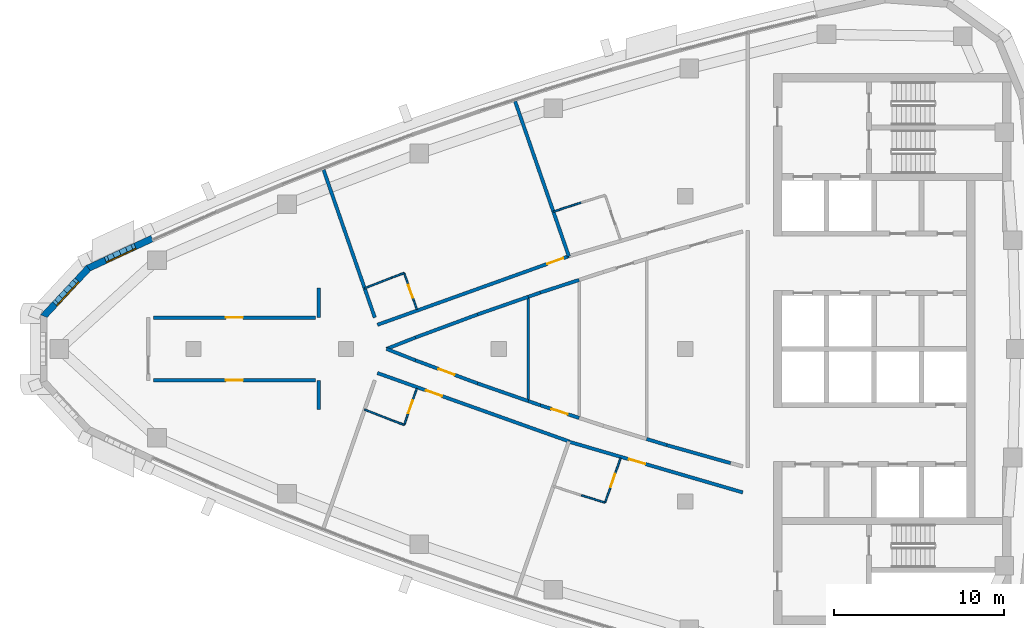
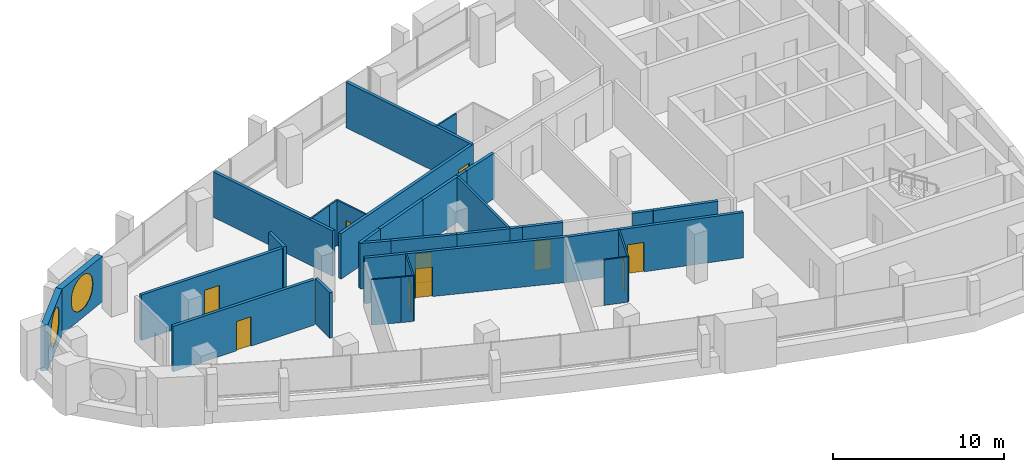
# One storey, part 7 of 13: 33 walls, 10 doors, 2 windows, 12 openings.
"""IFC4 building model written with IfcOpenShell, lengths in metres."""

from ifc_helpers import new_model, si_unit, direction, frame, frame_2d, origin, place, context, subcontext, project, spatial, polyline, rectangle, outline, extrude, material, layer, layer_set, type_object, element, fill, save


model = new_model("IFC4")

# Units and contexts
model_context = context("Model", 3, precision=1e-05, world=origin(), true_north=direction((0.0, 1.0)))
body_context = subcontext(model_context, "Body", "Model", "MODEL_VIEW")
ifc_project = project(units=[si_unit("LENGTHUNIT", "METRE"), si_unit("AREAUNIT", "SQUARE_METRE"), si_unit("VOLUMEUNIT", "CUBIC_METRE"), si_unit("PLANEANGLEUNIT", "RADIAN"), si_unit("MASSUNIT", "GRAM", prefix="KILO")], contexts=[model_context])

# Site, building, storey
site_placement = place(None, origin())
site = spatial("IfcSite", under=ifc_project, at=site_placement, CompositionType="ELEMENT")
building_placement = place(site_placement, origin())
building = spatial("IfcBuilding", under=site, at=building_placement, Name="Ostrand Prow Hotel Tower", CompositionType="ELEMENT")
storey_placement = place(building_placement, frame((0.0, 0.0, 282.10009765625)))
storey = spatial("IfcBuildingStorey", under=building, at=storey_placement, Name="L71", CompositionType="ELEMENT", Elevation=282.10009765625)

# Walls
ifc_material_1 = material(Name="Plasterboard partition")
ifc_layer_1 = layer(ifc_material_1, 0.10009765625)
ifc_layer_set_1 = layer_set([ifc_layer_1], Name="Plasterboard partition")
wall_type_1 = type_object("IfcWallType", Name="Partition 100 bathroom wall", PredefinedType="PARTITIONING", material=ifc_layer_set_1)
wall_1_placement = place(storey_placement, frame((26.095703125, 3.576171875, 0.0), z_axis=(0.0, 0.0, 1.0), x_axis=(0.930254925629, 0.366913850028, 0.0)))
element("IfcWall", 1, at=wall_1_placement, inside=storey, type_object=wall_type_1, Name="BATHROOM WALL", PredefinedType="PARTITIONING", context=body_context, shape_type="SweptSolid", body=[
    extrude(rectangle(XDim=1.760009765625, YDim=0.10009765625, at=frame_2d((0.8798828125, 0.0))), origin(), (0.0, 0.0, 1.0), 3.25),
])
wall_2_placement = place(storey_placement, frame((27.73291015625, 4.221923828125, 0.0), z_axis=(0.0, 0.0, 1.0), x_axis=(0.937514267289, 0.347946833049, 0.0)))
element("IfcWall", 2, at=wall_2_placement, inside=storey, type_object=wall_type_1, Name="BATHROOM WALL", PredefinedType="PARTITIONING", context=body_context, shape_type="SweptSolid", body=[
    extrude(rectangle(XDim=0.74169921875, YDim=0.10009765625, at=frame_2d((0.370849609375, 0.0))), origin(), (0.0, 0.0, 1.0), 3.25),
])

# Wall, opening, door
wall_3_placement = place(storey_placement, frame((28.42822265625, 4.47998046875, 0.0), z_axis=(0.0, 0.0, 1.0), x_axis=(0.327718024288, -0.944775579996, 0.0)))
wall_3 = element("IfcWall", 3, at=wall_3_placement, inside=storey, type_object=wall_type_1, Name="BATHROOM WALL", PredefinedType="PARTITIONING", context=body_context, shape_type="SweptSolid", body=[
    extrude(rectangle(XDim=2.27734375, YDim=0.10009765625, at=frame_2d((1.138671875, 0.0))), origin(), (0.0, 0.0, 1.0), 3.25),
])
opening_1_placement = place(wall_3_placement, frame((0.75, 0.0, 0.0)))
opening_1 = element("IfcOpeningElement", 4, at=opening_1_placement, cuts=wall_3, Name="Opening D2", PredefinedType="OPENING", context=body_context, shape_type="SweptSolid", body=[
    extrude(rectangle(XDim=0.800048828125, YDim=2.10009765625, at=frame_2d((0.39990234375, 1.050048828125))), frame((0.0, 0.06005859375, 0.0), z_axis=(0.0, -1.0, 0.0), x_axis=(1.0, 0.0, 0.0)), (0.0, 0.0, 1.0), 0.1201171875),
])
ifc_material_2 = material(Name="Timber door leaf", Category="wood")
door_type_1 = type_object("IfcDoorType", Name="Bathroom door 800", OperationType="SINGLE_SWING_LEFT", PredefinedType="DOOR", material=ifc_material_2)
door_1_placement = place(opening_1_placement, origin())
door_1 = element("IfcDoor", 5, at=door_1_placement, inside=storey, type_object=door_type_1, Name="DOOR", OperationType="SINGLE_SWING_LEFT", OverallHeight=2.10009765625, OverallWidth=0.800048828125, PredefinedType="DOOR", context=body_context, shape_type="SweptSolid", body=[
    extrude(rectangle(XDim=0.800048828125, YDim=2.10009765625, at=frame_2d((0.39990234375, 1.050048828125))), frame((0.0, 0.02490234375, 0.0), z_axis=(0.0, -1.0, 0.0), x_axis=(1.0, 0.0, 0.0)), (0.0, 0.0, 1.0), 0.050048828125),
])
fill(opening_1, door_1)

# Wall
wall_4_placement = place(storey_placement, frame((37.228515625, 8.09814453125, 0.0), z_axis=(0.0, 0.0, 1.0), x_axis=(0.950684866901, 0.31015848182, 0.0)))
element("IfcWall", 6, at=wall_4_placement, inside=storey, type_object=wall_type_1, Name="BATHROOM WALL", PredefinedType="PARTITIONING", context=body_context, shape_type="SweptSolid", body=[
    extrude(rectangle(XDim=1.739501953125, YDim=0.10009765625, at=frame_2d((0.86962890625, 0.0))), origin(), (0.0, 0.0, 1.0), 3.25),
])

# Wall, opening, door
wall_5_placement = place(storey_placement, frame((29.174560546875, -2.328369140625, 0.0), z_axis=(0.0, 0.0, 1.0), x_axis=(-0.327718024288, -0.944775579996, 0.0)))
wall_5 = element("IfcWall", 7, at=wall_5_placement, inside=storey, type_object=wall_type_1, Name="BATHROOM WALL", PredefinedType="PARTITIONING", context=body_context, shape_type="SweptSolid", body=[
    extrude(rectangle(XDim=2.27734375, YDim=0.10009765625, at=frame_2d((1.138671875, 0.0))), origin(), (0.0, 0.0, 1.0), 3.25),
])
opening_2_placement = place(wall_5_placement, frame((0.75, 0.0, 0.0)))
opening_2 = element("IfcOpeningElement", 8, at=opening_2_placement, cuts=wall_5, Name="Opening D2", PredefinedType="OPENING", context=body_context, shape_type="SweptSolid", body=[
    extrude(rectangle(XDim=0.800048828125, YDim=2.10009765625, at=frame_2d((0.39990234375, 1.050048828125))), frame((0.0, 0.06005859375, 0.0), z_axis=(0.0, -1.0, 0.0), x_axis=(1.0, 0.0, 0.0)), (0.0, 0.0, 1.0), 0.1201171875),
])
door_2_placement = place(opening_2_placement, origin())
door_2 = element("IfcDoor", 9, at=door_2_placement, inside=storey, type_object=door_type_1, Name="DOOR", OperationType="SINGLE_SWING_LEFT", OverallHeight=2.10009765625, OverallWidth=0.800048828125, PredefinedType="DOOR", context=body_context, shape_type="SweptSolid", body=[
    extrude(rectangle(XDim=0.800048828125, YDim=2.10009765625, at=frame_2d((0.39990234375, 1.050048828125))), frame((0.0, 0.02490234375, 0.0), z_axis=(0.0, -1.0, 0.0), x_axis=(1.0, 0.0, 0.0)), (0.0, 0.0, 1.0), 0.050048828125),
])
fill(opening_2, door_2)

# Walls
wall_6_placement = place(storey_placement, frame((28.42822265625, -4.47998046875, 0.0), z_axis=(0.0, 0.0, 1.0), x_axis=(-0.937514267289, 0.347946833049, 0.0)))
element("IfcWall", 10, at=wall_6_placement, inside=storey, type_object=wall_type_1, Name="BATHROOM WALL", PredefinedType="PARTITIONING", context=body_context, shape_type="SweptSolid", body=[
    extrude(rectangle(XDim=0.74169921875, YDim=0.10009765625, at=frame_2d((0.370849609375, 0.0))), origin(), (0.0, 0.0, 1.0), 3.25),
])
wall_7_placement = place(storey_placement, frame((27.73291015625, -4.221923828125, 0.0), z_axis=(0.0, 0.0, 1.0), x_axis=(-0.930254925629, 0.366913850028, 0.0)))
element("IfcWall", 11, at=wall_7_placement, inside=storey, type_object=wall_type_1, Name="BATHROOM WALL", PredefinedType="PARTITIONING", context=body_context, shape_type="SweptSolid", body=[
    extrude(rectangle(XDim=1.760009765625, YDim=0.10009765625, at=frame_2d((0.8798828125, 0.0))), origin(), (0.0, 0.0, 1.0), 3.25),
])

# Wall, opening, door
wall_8_placement = place(storey_placement, frame((41.191650390625, -6.437255859375, 0.0), z_axis=(0.0, 0.0, 1.0), x_axis=(-0.327695885805, -0.944783258968, 0.0)))
wall_8 = element("IfcWall", 12, at=wall_8_placement, inside=storey, type_object=wall_type_1, Name="BATHROOM WALL", PredefinedType="PARTITIONING", context=body_context, shape_type="SweptSolid", body=[
    extrude(rectangle(XDim=2.779052734375, YDim=0.10009765625, at=frame_2d((1.3896484375, 0.0))), origin(), (0.0, 0.0, 1.0), 3.25),
])
opening_3_placement = place(wall_8_placement, frame((1.0, 0.0, 0.0)))
opening_3 = element("IfcOpeningElement", 13, at=opening_3_placement, cuts=wall_8, Name="Opening D2", PredefinedType="OPENING", context=body_context, shape_type="SweptSolid", body=[
    extrude(rectangle(XDim=0.800048828125, YDim=2.10009765625, at=frame_2d((0.39990234375, 1.050048828125))), frame((0.0, 0.06005859375, 0.0), z_axis=(0.0, -1.0, 0.0), x_axis=(1.0, 0.0, 0.0)), (0.0, 0.0, 1.0), 0.1201171875),
])
door_3_placement = place(opening_3_placement, origin())
door_3 = element("IfcDoor", 14, at=door_3_placement, inside=storey, type_object=door_type_1, Name="DOOR", OperationType="SINGLE_SWING_LEFT", OverallHeight=2.10009765625, OverallWidth=0.800048828125, PredefinedType="DOOR", context=body_context, shape_type="SweptSolid", body=[
    extrude(rectangle(XDim=0.800048828125, YDim=2.10009765625, at=frame_2d((0.39990234375, 1.050048828125))), frame((0.0, 0.02490234375, 0.0), z_axis=(0.0, -1.0, 0.0), x_axis=(1.0, 0.0, 0.0)), (0.0, 0.0, 1.0), 0.050048828125),
])
fill(opening_3, door_3)

# Walls
wall_9_placement = place(storey_placement, frame((40.28076171875, -9.06298828125, 0.0), z_axis=(0.0, 0.0, 1.0), x_axis=(-0.956734544447, 0.290962216555, 0.0)))
element("IfcWall", 15, at=wall_9_placement, inside=storey, type_object=wall_type_1, Name="BATHROOM WALL", PredefinedType="PARTITIONING", context=body_context, shape_type="SweptSolid", body=[
    extrude(rectangle(XDim=1.461669921875, YDim=0.10009765625, at=frame_2d((0.73095703125, 0.0))), origin(), (0.0, 0.0, 1.0), 3.25),
])
ifc_material_3 = material(Name="Plasterboard partition")
ifc_layer_2 = layer(ifc_material_3, 0.14990234375)
ifc_layer_set_2 = layer_set([ifc_layer_2], Name="Plasterboard partition")
wall_type_2 = type_object("IfcWallType", Name="Partition 150 room partition", PredefinedType="PARTITIONING", material=ifc_layer_set_2)
wall_10_placement = place(storey_placement, frame((35.746337890625, -3.075927734375, 0.0), z_axis=(0.0, 0.0, 1.0), x_axis=(0.0, 1.0, 0.0)))
element("IfcWall", 16, at=wall_10_placement, inside=storey, type_object=wall_type_2, Name="ROOM PARTITION", PredefinedType="PARTITIONING", context=body_context, shape_type="SweptSolid", body=[
    extrude(rectangle(XDim=6.15185546875, YDim=0.14990234375, at=frame_2d((3.075927734375, 0.0))), origin(), (0.0, 0.0, 1.0), 3.25),
])

# Wall, opening, door
ifc_material_4 = material(Name="Plasterboard partition")
ifc_layer_3 = layer(ifc_material_4, 0.199951171875)
ifc_layer_set_3 = layer_set([ifc_layer_3], Name="Plasterboard partition")
wall_type_3 = type_object("IfcWallType", Name="Partition 200 corridor wall", PredefinedType="PARTITIONING", material=ifc_layer_set_3)
wall_11_placement = place(storey_placement, frame((13.63720703125, 1.85009765625, 0.0), z_axis=(0.0, 0.0, 1.0), x_axis=(1.0, 0.0, 0.0)))
wall_11 = element("IfcWall", 17, at=wall_11_placement, inside=storey, type_object=wall_type_3, Name="CORRIDOR WALL", PredefinedType="PARTITIONING", context=body_context, shape_type="SweptSolid", body=[
    extrude(rectangle(XDim=9.548583984375, YDim=0.199951171875, at=frame_2d((4.7744140625, 0.0))), origin(), (0.0, 0.0, 1.0), 3.25),
])
opening_4_placement = place(wall_11_placement, frame((4.2744140625, 0.0, 0.0)))
opening_4 = element("IfcOpeningElement", 18, at=opening_4_placement, cuts=wall_11, Name="Opening D1", PredefinedType="OPENING", context=body_context, shape_type="SweptSolid", body=[
    extrude(rectangle(XDim=1.0, YDim=2.10009765625, at=frame_2d((0.5, 1.050048828125))), frame((0.0, 0.10986328125, 0.0), z_axis=(0.0, -1.0, 0.0), x_axis=(1.0, 0.0, 0.0)), (0.0, 0.0, 1.0), 0.219970703125),
])
ifc_material_5 = material(Name="Timber door leaf", Category="wood")
door_type_2 = type_object("IfcDoorType", Name="Guest room door 1000", OperationType="SINGLE_SWING_LEFT", PredefinedType="DOOR", material=ifc_material_5)
door_4_placement = place(opening_4_placement, origin())
door_4 = element("IfcDoor", 19, at=door_4_placement, inside=storey, type_object=door_type_2, Name="DOOR", OperationType="SINGLE_SWING_LEFT", OverallHeight=2.10009765625, OverallWidth=1.0, PredefinedType="DOOR", context=body_context, shape_type="SweptSolid", body=[
    extrude(rectangle(XDim=1.0, YDim=2.10009765625, at=frame_2d((0.5, 1.050048828125))), frame((0.0, 0.02490234375, 0.0), z_axis=(0.0, -1.0, 0.0), x_axis=(1.0, 0.0, 0.0)), (0.0, 0.0, 1.0), 0.050048828125),
])
fill(opening_4, door_4)

wall_12_placement = place(storey_placement, frame((13.63720703125, -1.85009765625, 0.0), z_axis=(0.0, 0.0, 1.0), x_axis=(1.0, 0.0, 0.0)))
wall_12 = element("IfcWall", 20, at=wall_12_placement, inside=storey, type_object=wall_type_3, Name="CORRIDOR WALL", PredefinedType="PARTITIONING", context=body_context, shape_type="SweptSolid", body=[
    extrude(rectangle(XDim=9.548583984375, YDim=0.199951171875, at=frame_2d((4.7744140625, 0.0))), origin(), (0.0, 0.0, 1.0), 3.25),
])
opening_5_placement = place(wall_12_placement, frame((4.2744140625, 0.0, 0.0)))
opening_5 = element("IfcOpeningElement", 21, at=opening_5_placement, cuts=wall_12, Name="Opening D1R", PredefinedType="OPENING", context=body_context, shape_type="SweptSolid", body=[
    extrude(rectangle(XDim=1.0, YDim=2.10009765625, at=frame_2d((0.5, 1.050048828125))), frame((0.0, 0.10986328125, 0.0), z_axis=(0.0, -1.0, 0.0), x_axis=(1.0, 0.0, 0.0)), (0.0, 0.0, 1.0), 0.219970703125),
])
ifc_material_6 = material(Name="Timber door leaf", Category="wood")
door_type_3 = type_object("IfcDoorType", Name="Guest room door 1000 right", OperationType="SINGLE_SWING_RIGHT", PredefinedType="DOOR", material=ifc_material_6)
door_5_placement = place(opening_5_placement, origin())
door_5 = element("IfcDoor", 22, at=door_5_placement, inside=storey, type_object=door_type_3, Name="DOOR", OperationType="SINGLE_SWING_RIGHT", OverallHeight=2.10009765625, OverallWidth=1.0, PredefinedType="DOOR", context=body_context, shape_type="SweptSolid", body=[
    extrude(rectangle(XDim=1.0, YDim=2.10009765625, at=frame_2d((0.5, 1.050048828125))), frame((0.0, 0.02490234375, 0.0), z_axis=(0.0, -1.0, 0.0), x_axis=(1.0, 0.0, 0.0)), (0.0, 0.0, 1.0), 0.050048828125),
])
fill(opening_5, door_5)

wall_13_placement = place(storey_placement, frame((38.1396484375, 5.47119140625, 0.0), z_axis=(0.0, 0.0, 1.0), x_axis=(-0.94130914227, -0.337545698653, 0.0)))
wall_13 = element("IfcWall", 23, at=wall_13_placement, inside=storey, type_object=wall_type_3, Name="CORRIDOR WALL", PredefinedType="PARTITIONING", context=body_context, shape_type="SweptSolid", body=[
    extrude(rectangle(XDim=11.993408203125, YDim=0.199951171875, at=frame_2d((5.99658203125, 0.0))), origin(), (0.0, 0.0, 1.0), 3.25),
])
opening_6_placement = place(wall_13_placement, frame((0.35009765625, 0.0, 0.0)))
opening_6 = element("IfcOpeningElement", 24, at=opening_6_placement, cuts=wall_13, Name="Opening D1", PredefinedType="OPENING", context=body_context, shape_type="SweptSolid", body=[
    extrude(rectangle(XDim=1.0, YDim=2.10009765625, at=frame_2d((0.5, 1.050048828125))), frame((0.0, 0.10986328125, 0.0), z_axis=(0.0, -1.0, 0.0), x_axis=(1.0, 0.0, 0.0)), (0.0, 0.0, 1.0), 0.219970703125),
])
door_6_placement = place(opening_6_placement, origin())
door_6 = element("IfcDoor", 25, at=door_6_placement, inside=storey, type_object=door_type_2, Name="DOOR", OperationType="SINGLE_SWING_LEFT", OverallHeight=2.10009765625, OverallWidth=1.0, PredefinedType="DOOR", context=body_context, shape_type="SweptSolid", body=[
    extrude(rectangle(XDim=1.0, YDim=2.10009765625, at=frame_2d((0.5, 1.050048828125))), frame((0.0, 0.02490234375, 0.0), z_axis=(0.0, -1.0, 0.0), x_axis=(1.0, 0.0, 0.0)), (0.0, 0.0, 1.0), 0.050048828125),
])
fill(opening_6, door_6)

wall_14_placement = place(storey_placement, frame((26.85009765625, -1.4228515625, 0.0), z_axis=(0.0, 0.0, 1.0), x_axis=(0.941868496397, -0.335981748753, 0.0)))
wall_14 = element("IfcWall", 26, at=wall_14_placement, inside=storey, type_object=wall_type_3, Name="CORRIDOR WALL", PredefinedType="PARTITIONING", context=body_context, shape_type="SweptSolid", body=[
    extrude(rectangle(XDim=11.993408203125, YDim=0.199951171875, at=frame_2d((5.99658203125, 0.0))), origin(), (0.0, 0.0, 1.0), 3.25),
])
opening_7_placement = place(wall_14_placement, frame((3.050048828125, 0.0, 0.0)))
opening_7 = element("IfcOpeningElement", 27, at=opening_7_placement, cuts=wall_14, Name="Opening D1", PredefinedType="OPENING", context=body_context, shape_type="SweptSolid", body=[
    extrude(rectangle(XDim=1.0, YDim=2.10009765625, at=frame_2d((0.5, 1.050048828125))), frame((0.0, 0.10986328125, 0.0), z_axis=(0.0, -1.0, 0.0), x_axis=(1.0, 0.0, 0.0)), (0.0, 0.0, 1.0), 0.219970703125),
])
door_7_placement = place(opening_7_placement, origin())
door_7 = element("IfcDoor", 28, at=door_7_placement, inside=storey, type_object=door_type_2, Name="DOOR", OperationType="SINGLE_SWING_LEFT", OverallHeight=2.10009765625, OverallWidth=1.0, PredefinedType="DOOR", context=body_context, shape_type="SweptSolid", body=[
    extrude(rectangle(XDim=1.0, YDim=2.10009765625, at=frame_2d((0.5, 1.050048828125))), frame((0.0, 0.02490234375, 0.0), z_axis=(0.0, -1.0, 0.0), x_axis=(1.0, 0.0, 0.0)), (0.0, 0.0, 1.0), 0.050048828125),
])
fill(opening_7, door_7)

wall_15_placement = place(storey_placement, frame((32.759765625, -2.034912109375, 0.0), z_axis=(0.0, 0.0, 1.0), x_axis=(-0.937460178932, 0.348092534992, 0.0)))
wall_15 = element("IfcWall", 29, at=wall_15_placement, inside=storey, type_object=wall_type_3, Name="CORRIDOR WALL", PredefinedType="PARTITIONING", context=body_context, shape_type="SweptSolid", body=[
    extrude(rectangle(XDim=3.912841796875, YDim=0.199951171875, at=frame_2d((1.95654296875, 0.0))), origin(), (0.0, 0.0, 1.0), 3.25),
])
opening_8_placement = place(wall_15_placement, frame((1.45654296875, 0.0, 0.0)))
opening_8 = element("IfcOpeningElement", 30, at=opening_8_placement, cuts=wall_15, Name="Opening D1R", PredefinedType="OPENING", context=body_context, shape_type="SweptSolid", body=[
    extrude(rectangle(XDim=1.0, YDim=2.10009765625, at=frame_2d((0.5, 1.050048828125))), frame((0.0, 0.10986328125, 0.0), z_axis=(0.0, -1.0, 0.0), x_axis=(1.0, 0.0, 0.0)), (0.0, 0.0, 1.0), 0.219970703125),
])
door_8_placement = place(opening_8_placement, origin())
door_8 = element("IfcDoor", 31, at=door_8_placement, inside=storey, type_object=door_type_3, Name="DOOR", OperationType="SINGLE_SWING_RIGHT", OverallHeight=2.10009765625, OverallWidth=1.0, PredefinedType="DOOR", context=body_context, shape_type="SweptSolid", body=[
    extrude(rectangle(XDim=1.0, YDim=2.10009765625, at=frame_2d((0.5, 1.050048828125))), frame((0.0, 0.02490234375, 0.0), z_axis=(0.0, -1.0, 0.0), x_axis=(1.0, 0.0, 0.0)), (0.0, 0.0, 1.0), 0.050048828125),
])
fill(opening_8, door_8)

# Walls
for number, where, z_axis, x_axis, name in (
    (32, (29.091552734375, -0.6728515625, 0.0), (0.0, 0.0, 1.0), (-0.930265251482, 0.366887669302, 0.0), "CORRIDOR WALL"),
    (33, (27.385498046875, 0.0, 0.0), (0.0, 0.0, 1.0), (0.930265251482, 0.366887669302, 0.0), "CORRIDOR WALL"),
):
    element("IfcWall", number, at=place(storey_placement, frame(where, z_axis=z_axis, x_axis=x_axis)), inside=storey, type_object=wall_type_3, Name=name, PredefinedType="PARTITIONING", context=body_context, shape_type="SweptSolid", body=[
        extrude(rectangle(XDim=1.833984375, YDim=0.199951171875, at=frame_2d((0.9169921875, 0.0))), origin(), (0.0, 0.0, 1.0), 3.25),
    ])
wall_16_placement = place(storey_placement, frame((29.091552734375, 0.6728515625, 0.0), z_axis=(0.0, 0.0, 1.0), x_axis=(0.937460178932, 0.348092534992, 0.0)))
element("IfcWall", 34, at=wall_16_placement, inside=storey, type_object=wall_type_3, Name="CORRIDOR WALL", PredefinedType="PARTITIONING", context=body_context, shape_type="SweptSolid", body=[
    extrude(rectangle(XDim=3.912841796875, YDim=0.199951171875, at=frame_2d((1.95654296875, 0.0))), origin(), (0.0, 0.0, 1.0), 3.25),
])
for number, where, z_axis, x_axis, name in (
    (35, (32.759765625, 2.034912109375, 0.0), (0.0, 0.0, 1.0), (0.944279987428, 0.329143289986, 0.0), "CORRIDOR WALL"),
    (36, (35.746337890625, -3.075927734375, 0.0), (0.0, 0.0, 1.0), (-0.944279987428, 0.329143289986, 0.0), "CORRIDOR WALL"),
):
    element("IfcWall", number, at=place(storey_placement, frame(where, z_axis=z_axis, x_axis=x_axis)), inside=storey, type_object=wall_type_3, Name=name, PredefinedType="PARTITIONING", context=body_context, shape_type="SweptSolid", body=[
        extrude(rectangle(XDim=3.162841796875, YDim=0.199951171875, at=frame_2d((1.58154296875, 0.0))), origin(), (0.0, 0.0, 1.0), 3.25),
    ])

# Wall, opening, door
wall_17_placement = place(storey_placement, frame((38.746337890625, -4.0703125, 0.0), z_axis=(0.0, 0.0, 1.0), x_axis=(-0.950699334583, 0.310114132576, 0.0)))
wall_17 = element("IfcWall", 37, at=wall_17_placement, inside=storey, type_object=wall_type_3, Name="CORRIDOR WALL", PredefinedType="PARTITIONING", context=body_context, shape_type="SweptSolid", body=[
    extrude(rectangle(XDim=2.41064453125, YDim=0.199951171875, at=frame_2d((1.205322265625, 0.0))), origin(), (0.0, 0.0, 1.0), 3.25),
])
opening_9_placement = place(wall_17_placement, frame((0.705322265625, 0.0, 0.0)))
opening_9 = element("IfcOpeningElement", 38, at=opening_9_placement, cuts=wall_17, Name="Opening D1", PredefinedType="OPENING", context=body_context, shape_type="SweptSolid", body=[
    extrude(rectangle(XDim=1.0, YDim=2.10009765625, at=frame_2d((0.5, 1.050048828125))), frame((0.0, 0.10986328125, 0.0), z_axis=(0.0, -1.0, 0.0), x_axis=(1.0, 0.0, 0.0)), (0.0, 0.0, 1.0), 0.219970703125),
])
door_9_placement = place(opening_9_placement, origin())
door_9 = element("IfcDoor", 39, at=door_9_placement, inside=storey, type_object=door_type_2, Name="DOOR", OperationType="SINGLE_SWING_LEFT", OverallHeight=2.10009765625, OverallWidth=1.0, PredefinedType="DOOR", context=body_context, shape_type="SweptSolid", body=[
    extrude(rectangle(XDim=1.0, YDim=2.10009765625, at=frame_2d((0.5, 1.050048828125))), frame((0.0, 0.02490234375, 0.0), z_axis=(0.0, -1.0, 0.0), x_axis=(1.0, 0.0, 0.0)), (0.0, 0.0, 1.0), 0.050048828125),
])
fill(opening_9, door_9)

# Walls
for number, where, z_axis, x_axis, name in (
    (40, (36.45458984375, -3.32275390625, 0.0), (0.0, 0.0, 1.0), (-0.944299015519, 0.329088695171, 0.0), "CORRIDOR WALL"),
    (41, (35.746337890625, 3.075927734375, 0.0), (0.0, 0.0, 1.0), (0.944299015519, 0.329088695171, 0.0), "CORRIDOR WALL"),
):
    element("IfcWall", number, at=place(storey_placement, frame(where, z_axis=z_axis, x_axis=x_axis)), inside=storey, type_object=wall_type_3, Name=name, PredefinedType="PARTITIONING", context=body_context, shape_type="SweptSolid", body=[
        extrude(rectangle(XDim=0.75, YDim=0.199951171875, at=frame_2d((0.375, 0.0))), origin(), (0.0, 0.0, 1.0), 3.25),
    ])
wall_18_placement = place(storey_placement, frame((36.45458984375, 3.32275390625, 0.0), z_axis=(0.0, 0.0, 1.0), x_axis=(0.950699334583, 0.310114132576, 0.0)))
element("IfcWall", 42, at=wall_18_placement, inside=storey, type_object=wall_type_3, Name="CORRIDOR WALL", PredefinedType="PARTITIONING", context=body_context, shape_type="SweptSolid", body=[
    extrude(rectangle(XDim=2.41064453125, YDim=0.199951171875, at=frame_2d((1.205322265625, 0.0))), origin(), (0.0, 0.0, 1.0), 3.25),
])
wall_19_placement = place(storey_placement, frame((47.684326171875, -6.737548828125, 0.0), z_axis=(0.0, 0.0, 1.0), x_axis=(-0.962411212211, 0.271596499628, 0.0)))
element("IfcWall", 43, at=wall_19_placement, inside=storey, type_object=wall_type_3, Name="CORRIDOR WALL", PredefinedType="PARTITIONING", context=body_context, shape_type="SweptSolid", body=[
    extrude(rectangle(XDim=3.912841796875, YDim=0.199951171875, at=frame_2d((1.95654296875, 0.0))), origin(), (0.0, 0.0, 1.0), 3.25),
])
wall_20_placement = place(storey_placement, frame((43.91845703125, -5.6748046875, 0.0), z_axis=(0.0, 0.0, 1.0), x_axis=(-0.956690508666, 0.291106974546, 0.0)))
element("IfcWall", 44, at=wall_20_placement, inside=storey, type_object=wall_type_3, Name="CORRIDOR WALL", PredefinedType="PARTITIONING", context=body_context, shape_type="SweptSolid", body=[
    extrude(rectangle(XDim=1.24462890625, YDim=0.199951171875, at=frame_2d((0.622314453125, 0.0))), origin(), (0.0, 0.0, 1.0), 3.25),
])

# Wall, opening, door
wall_21_placement = place(storey_placement, frame((38.1396484375, -5.47119140625, 0.0), z_axis=(0.0, 0.0, 1.0), x_axis=(0.95996673497, -0.280114026339, 0.0)))
wall_21 = element("IfcWall", 45, at=wall_21_placement, inside=storey, type_object=wall_type_3, Name="CORRIDOR WALL", PredefinedType="PARTITIONING", context=body_context, shape_type="SweptSolid", body=[
    extrude(rectangle(XDim=10.688232421875, YDim=0.199951171875, at=frame_2d((5.34423828125, 0.0))), origin(), (0.0, 0.0, 1.0), 3.25),
])
opening_10_placement = place(wall_21_placement, frame((3.699951171875, 0.0, 0.0)))
opening_10 = element("IfcOpeningElement", 46, at=opening_10_placement, cuts=wall_21, Name="Opening D1", PredefinedType="OPENING", context=body_context, shape_type="SweptSolid", body=[
    extrude(rectangle(XDim=1.0, YDim=2.10009765625, at=frame_2d((0.5, 1.050048828125))), frame((0.0, 0.10986328125, 0.0), z_axis=(0.0, -1.0, 0.0), x_axis=(1.0, 0.0, 0.0)), (0.0, 0.0, 1.0), 0.219970703125),
])
door_10_placement = place(opening_10_placement, origin())
door_10 = element("IfcDoor", 47, at=door_10_placement, inside=storey, type_object=door_type_2, Name="DOOR", OperationType="SINGLE_SWING_LEFT", OverallHeight=2.10009765625, OverallWidth=1.0, PredefinedType="DOOR", context=body_context, shape_type="SweptSolid", body=[
    extrude(rectangle(XDim=1.0, YDim=2.10009765625, at=frame_2d((0.5, 1.050048828125))), frame((0.0, 0.02490234375, 0.0), z_axis=(0.0, -1.0, 0.0), x_axis=(1.0, 0.0, 0.0)), (0.0, 0.0, 1.0), 0.050048828125),
])
fill(opening_10, door_10)

# Walls
wall_22_placement = place(storey_placement, frame((23.3857421875, 3.580322265625, 0.0), z_axis=(0.0, 0.0, 1.0), x_axis=(0.0, -1.0, 0.0)))
element("IfcWall", 48, at=wall_22_placement, inside=storey, type_object=wall_type_3, Name="CORRIDOR WALL", PredefinedType="PARTITIONING", context=body_context, shape_type="SweptSolid", body=[
    extrude(rectangle(XDim=1.725341796875, YDim=0.199951171875, at=frame_2d((0.86279296875, 0.0))), origin(), (0.0, 0.0, 1.0), 3.25),
])
wall_23_placement = place(storey_placement, frame((23.3857421875, -1.85498046875, 0.0), z_axis=(0.0, 0.0, 1.0), x_axis=(0.0, -1.0, 0.0)))
element("IfcWall", 49, at=wall_23_placement, inside=storey, type_object=wall_type_3, Name="CORRIDOR WALL", PredefinedType="PARTITIONING", context=body_context, shape_type="SweptSolid", body=[
    extrude(rectangle(XDim=1.71533203125, YDim=0.199951171875, at=frame_2d((0.857666015625, 0.0))), origin(), (0.0, 0.0, 1.0), 3.25),
])
ifc_material_7 = material(Name="Plasterboard partition")
ifc_layer_4 = layer(ifc_material_7, 0.199951171875)
ifc_layer_set_4 = layer_set([ifc_layer_4], Name="Plasterboard partition")
wall_type_4 = type_object("IfcWallType", Name="Partition 200 key partition", PredefinedType="PARTITIONING", material=ifc_layer_set_4)
wall_24_placement = place(storey_placement, frame((26.6943359375, 1.85009765625, 0.0), z_axis=(0.0, 0.0, 1.0), x_axis=(-0.327714422317, 0.944776829418, 0.0)))
element("IfcWall", 50, at=wall_24_placement, inside=storey, type_object=wall_type_4, Name="KEY PARTITION", PredefinedType="PARTITIONING", context=body_context, shape_type="SweptSolid", body=[
    extrude(rectangle(XDim=9.2333984375, YDim=0.199951171875, at=frame_2d((4.61669921875, 0.0))), origin(), (0.0, 0.0, 1.0), 3.25),
])
wall_25_placement = place(storey_placement, frame((38.146240234375, 5.452392578125, 0.0), z_axis=(0.0, 0.0, 1.0), x_axis=(-0.327725028322, 0.94477315045, 0.0)))
element("IfcWall", 51, at=wall_25_placement, inside=storey, type_object=wall_type_4, Name="KEY PARTITION", PredefinedType="PARTITIONING", context=body_context, shape_type="SweptSolid", body=[
    extrude(rectangle(XDim=9.70166015625, YDim=0.199951171875, at=frame_2d((4.850830078125, 0.0))), origin(), (0.0, 0.0, 1.0), 3.25),
])

# Wall, opening, window
ifc_material_8 = material(Name="Precast concrete C40/50", Category="concrete")
ifc_layer_5 = layer(ifc_material_8, 0.39990234375)
ifc_layer_set_5 = layer_set([ifc_layer_5], Name="Precast concrete C40/50")
wall_type_5 = type_object("IfcWallType", Name="Stone-faced precast wall 400 mm", PredefinedType="NOTDEFINED", material=ifc_layer_set_5)
wall_26_placement = place(storey_placement, frame((13.55859375, 6.5146484375, 0.0), z_axis=(0.0, 0.0, 1.0), x_axis=(-0.906485602396, -0.42223672584, 0.0)))
wall_26 = element("IfcWall", 52, at=wall_26_placement, inside=storey, type_object=wall_type_5, Name="Stone-faced wall prow 1", PredefinedType="NOTDEFINED", context=body_context, shape_type="SweptSolid", body=[
    extrude(outline(polyline([(0.0, -0.199951171875), (4.1806640625, -0.199951171875), (4.1025390625, 0.199951171875), (0.0, 0.199951171875), (0.0, -0.199951171875)])), origin(), (0.0, 0.0, 1.0), 3.25),
])
opening_11_placement = place(wall_26_placement, frame((0.970947265625, 0.0, 0.60009765625)))
opening_11 = element("IfcOpeningElement", 53, at=opening_11_placement, cuts=wall_26, Name="Opening WP1", PredefinedType="OPENING", context=body_context, shape_type="SweptSolid", body=[
    extrude(outline(polyline([(0.0, 1.35009765625), (0.083740234375, 1.77099609375), (0.322265625, 2.127685546875), (0.678955078125, 2.3662109375), (1.10009765625, 2.449951171875), (1.52099609375, 2.3662109375), (1.877685546875, 2.127685546875), (2.1162109375, 1.77099609375), (2.199951171875, 1.35009765625), (2.199951171875, 1.10009765625), (2.1162109375, 0.678955078125), (1.877685546875, 0.322265625), (1.52099609375, 0.083740234375), (1.10009765625, 0.0), (0.678955078125, 0.083740234375), (0.322265625, 0.322265625), (0.083740234375, 0.678955078125), (0.0, 1.099853515625), (0.0, 1.35009765625)])), frame((0.0, 0.2099609375, 0.0), z_axis=(0.0, -1.0, 0.0), x_axis=(1.0, 0.0, 0.0)), (0.0, 0.0, 1.0), 0.419921875),
])
ifc_material_9 = material(Name="Insulated glass in bronze frame", Category="glass")
window_type = type_object("IfcWindowType", Name="Round-ended prow window 2200x2450", PartitioningType="SINGLE_PANEL", PredefinedType="WINDOW", material=ifc_material_9)
window_1_placement = place(opening_11_placement, origin())
window_1 = element("IfcWindow", 54, at=window_1_placement, inside=storey, type_object=window_type, Name="Window prow 1.1", OverallHeight=2.449951171875, OverallWidth=2.199951171875, PartitioningType="SINGLE_PANEL", PredefinedType="WINDOW", context=body_context, shape_type="SweptSolid", body=[
    extrude(outline(polyline([(0.0, 1.35009765625), (0.083740234375, 1.77099609375), (0.322265625, 2.127685546875), (0.678955078125, 2.3662109375), (1.10009765625, 2.449951171875), (1.52099609375, 2.3662109375), (1.877685546875, 2.127685546875), (2.1162109375, 1.77099609375), (2.199951171875, 1.35009765625), (2.199951171875, 1.10009765625), (2.1162109375, 0.678955078125), (1.877685546875, 0.322265625), (1.52099609375, 0.083740234375), (1.10009765625, 0.0), (0.678955078125, 0.083740234375), (0.322265625, 0.322265625), (0.083740234375, 0.678955078125), (0.0, 1.099853515625), (0.0, 1.35009765625)])), frame((0.0, 0.169921875, 0.0), z_axis=(0.0, -1.0, 0.0), x_axis=(1.0, 0.0, 0.0)), (0.0, 0.0, 1.0), 0.06005859375),
])
fill(opening_11, window_1)

wall_27_placement = place(storey_placement, frame((9.80419921875, 4.765869140625, 0.0), z_axis=(0.0, 0.0, 1.0), x_axis=(-0.6815467277, -0.73177459505, 0.0)))
wall_27 = element("IfcWall", 55, at=wall_27_placement, inside=storey, type_object=wall_type_5, Name="Stone-faced wall prow 2", PredefinedType="NOTDEFINED", context=body_context, shape_type="SweptSolid", body=[
    extrude(outline(polyline([(-0.0390625, -0.199951171875), (3.94775390625, -0.199951171875), (3.79052734375, 0.199951171875), (0.0390625, 0.199951171875), (-0.0390625, -0.199951171875)])), origin(), (0.0, 0.0, 1.0), 3.25),
])
opening_12_placement = place(wall_27_placement, frame((0.834716796875, 0.0, 0.60009765625)))
opening_12 = element("IfcOpeningElement", 56, at=opening_12_placement, cuts=wall_27, Name="Opening WP1", PredefinedType="OPENING", context=body_context, shape_type="SweptSolid", body=[
    extrude(outline(polyline([(0.0, 1.35009765625), (0.083740234375, 1.77099609375), (0.322265625, 2.127685546875), (0.678955078125, 2.3662109375), (1.10009765625, 2.449951171875), (1.52099609375, 2.3662109375), (1.877685546875, 2.127685546875), (2.1162109375, 1.77099609375), (2.199951171875, 1.35009765625), (2.199951171875, 1.10009765625), (2.1162109375, 0.678955078125), (1.877685546875, 0.322265625), (1.52099609375, 0.083740234375), (1.10009765625, 0.0), (0.678955078125, 0.083740234375), (0.322265625, 0.322265625), (0.083740234375, 0.678955078125), (0.0, 1.099853515625), (0.0, 1.35009765625)])), frame((0.0, 0.2099609375, 0.0), z_axis=(0.0, -1.0, 0.0), x_axis=(1.0, 0.0, 0.0)), (0.0, 0.0, 1.0), 0.419921875),
])
window_2_placement = place(opening_12_placement, origin())
window_2 = element("IfcWindow", 57, at=window_2_placement, inside=storey, type_object=window_type, Name="Window prow 2.1", OverallHeight=2.449951171875, OverallWidth=2.199951171875, PartitioningType="SINGLE_PANEL", PredefinedType="WINDOW", context=body_context, shape_type="SweptSolid", body=[
    extrude(outline(polyline([(0.0, 1.35009765625), (0.083740234375, 1.77099609375), (0.322265625, 2.127685546875), (0.678955078125, 2.3662109375), (1.10009765625, 2.449951171875), (1.52099609375, 2.3662109375), (1.877685546875, 2.127685546875), (2.1162109375, 1.77099609375), (2.199951171875, 1.35009765625), (2.199951171875, 1.10009765625), (2.1162109375, 0.678955078125), (1.877685546875, 0.322265625), (1.52099609375, 0.083740234375), (1.10009765625, 0.0), (0.678955078125, 0.083740234375), (0.322265625, 0.322265625), (0.083740234375, 0.678955078125), (0.0, 1.099853515625), (0.0, 1.35009765625)])), frame((0.0, 0.169921875, 0.0), z_axis=(0.0, -1.0, 0.0), x_axis=(1.0, 0.0, 0.0)), (0.0, 0.0, 1.0), 0.06005859375),
])
fill(opening_12, window_2)

save(model, "model.ifc")
